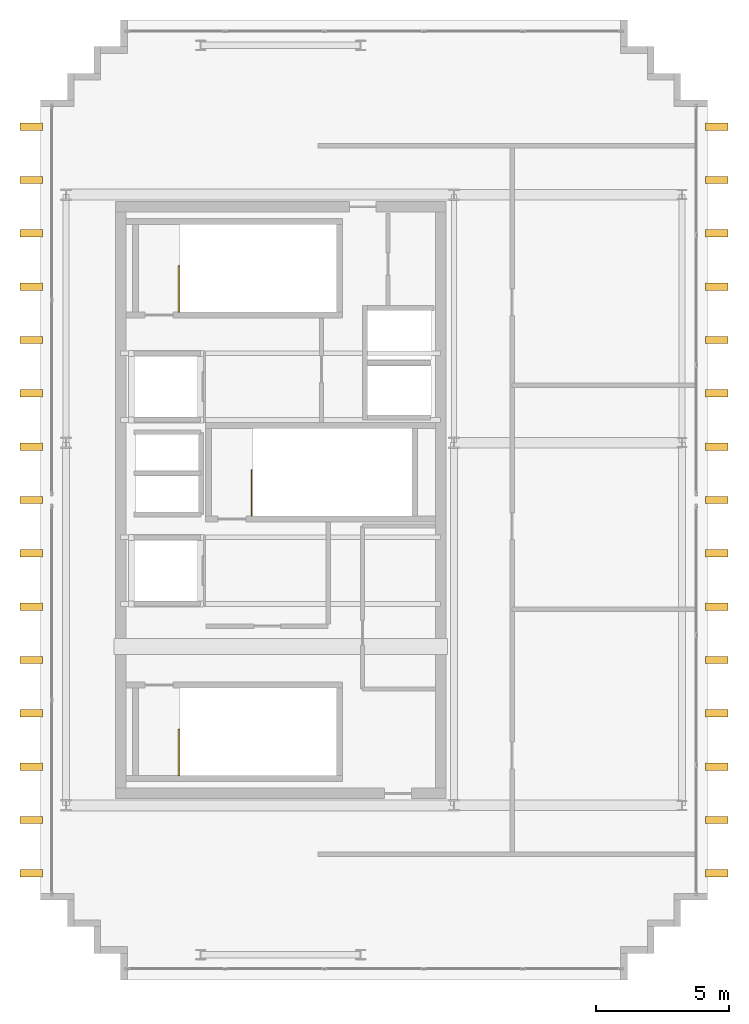
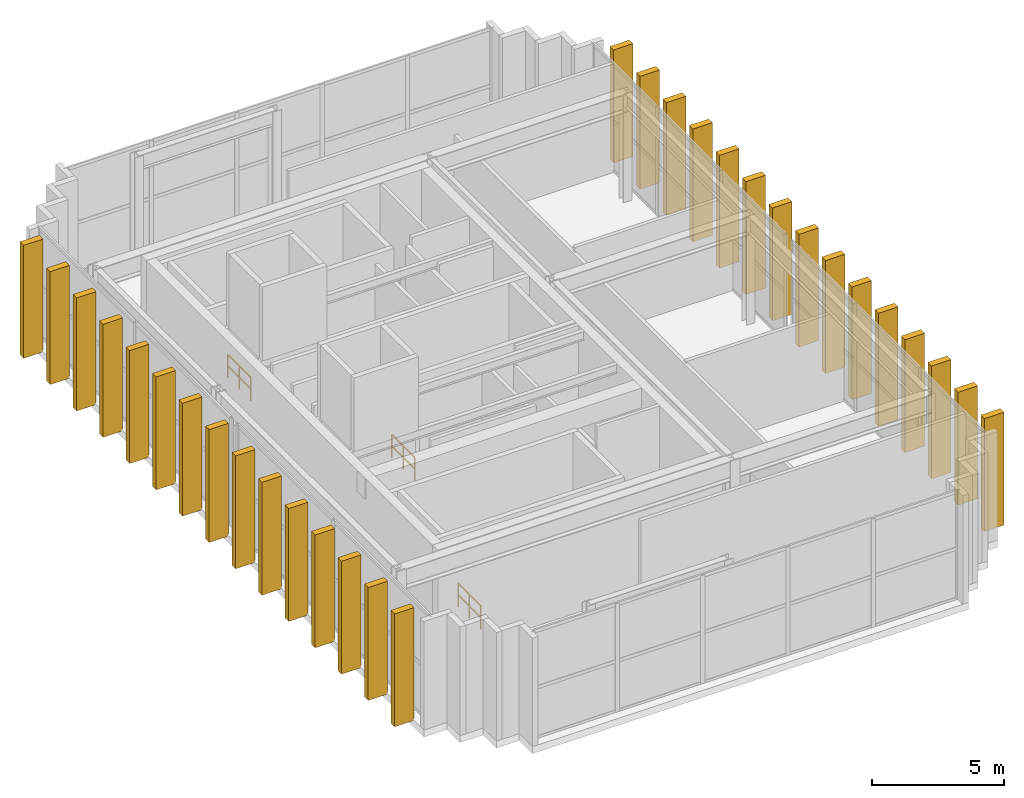
# One storey, part 14 of 14: 30 shading devices, 3 railings.
"""IFC4 building model written with IfcOpenShell, lengths in metres."""

from ifc_helpers import new_model, si_unit, direction, frame, origin, origin_2d, place, context, subcontext, project, spatial, rectangle, extrude, source, transform, mapped, material, type_object, element, save


model = new_model("IFC4")

# Units and contexts
model_context = context("Model", 3, precision=1e-05, world=origin(), true_north=direction((0.0, 1.0)))
body_context = subcontext(model_context, "Body", "Model", "MODEL_VIEW")
ifc_project = project(units=[si_unit("LENGTHUNIT", "METRE"), si_unit("AREAUNIT", "SQUARE_METRE"), si_unit("VOLUMEUNIT", "CUBIC_METRE"), si_unit("PLANEANGLEUNIT", "RADIAN"), si_unit("MASSUNIT", "GRAM", prefix="KILO")], contexts=[model_context])

# Site, building, storey
site_placement = place(None, origin())
site = spatial("IfcSite", under=ifc_project, at=site_placement, CompositionType="ELEMENT")
building_placement = place(site_placement, origin())
building = spatial("IfcBuilding", under=site, at=building_placement, Name="Ocotamira Hotel", CompositionType="ELEMENT")
storey_placement = place(building_placement, frame((0.0, 0.0, 309.60009765625)))
storey = spatial("IfcBuildingStorey", under=building, at=storey_placement, Name="L79", CompositionType="ELEMENT", Elevation=309.60009765625)

# Railings
ifc_material_1 = material(Name="Painted steel stair guardrail", Category="steel")
railing_type = type_object("IfcRailingType", Name="RL-STAIR-1100", PredefinedType="GUARDRAIL", material=ifc_material_1)
for number, where, name in (
    (1, (13.179931640625, 15.669921875, 0.0), "L79 ST-1 top well guard 1"),
    (2, (13.179931640625, 33.050048828125, 0.0), "L79 ST-2 top well guard 1"),
):
    element("IfcRailing", number, at=place(storey_placement, frame(where)), inside=storey, type_object=railing_type, Name=name, PredefinedType="GUARDRAIL", context=body_context, shape_type="SweptSolid", body=[
        extrude(rectangle(XDim=0.048095703125, YDim=0.048095703125, at=origin_2d()), frame((0.0, 0.0, 1.076171875), z_axis=(0.0, 1.0, 0.0), x_axis=(-1.0, 0.0, 0.0)), (0.0, 0.0, 1.0), 1.719970703125),
        extrude(rectangle(XDim=0.048095703125, YDim=0.048095703125, at=origin_2d()), frame((0.0, 0.0, 0.550048828125), z_axis=(0.0, 1.0, 0.0), x_axis=(-1.0, 0.0, 0.0)), (0.0, 0.0, 1.0), 1.719970703125),
        extrude(rectangle(XDim=0.0419921875, YDim=0.0419921875, at=origin_2d()), origin(), (0.0, 0.0, 1.0), 1.052001953125),
        extrude(rectangle(XDim=0.0419921875, YDim=0.0419921875, at=origin_2d()), frame((0.0, 0.85986328125, 0.0)), (0.0, 0.0, 1.0), 1.052001953125),
        extrude(rectangle(XDim=0.0419921875, YDim=0.0419921875, at=origin_2d()), frame((0.0, 1.719970703125, 0.0)), (0.0, 0.0, 1.0), 1.052001953125),
    ])
railing_placement = place(storey_placement, frame((15.909912109375, 25.39990234375, 0.0)))
element("IfcRailing", 3, at=railing_placement, inside=storey, type_object=railing_type, Name="L79 ST-3 top well guard 1", PredefinedType="GUARDRAIL", context=body_context, shape_type="SweptSolid", body=[
    extrude(rectangle(XDim=0.048095703125, YDim=0.048095703125, at=origin_2d()), frame((0.0, 0.0, 1.076171875), z_axis=(0.0, 1.0, 0.0), x_axis=(-1.0, 0.0, 0.0)), (0.0, 0.0, 1.0), 1.72021484375),
    extrude(rectangle(XDim=0.048095703125, YDim=0.048095703125, at=origin_2d()), frame((0.0, 0.0, 0.550048828125), z_axis=(0.0, 1.0, 0.0), x_axis=(-1.0, 0.0, 0.0)), (0.0, 0.0, 1.0), 1.72021484375),
    extrude(rectangle(XDim=0.0419921875, YDim=0.0419921875, at=origin_2d()), origin(), (0.0, 0.0, 1.0), 1.052001953125),
    extrude(rectangle(XDim=0.0419921875, YDim=0.0419921875, at=origin_2d()), frame((0.0, 0.860107421875, 0.0)), (0.0, 0.0, 1.0), 1.052001953125),
    extrude(rectangle(XDim=0.0419921875, YDim=0.0419921875, at=origin_2d()), frame((0.0, 1.72021484375, 0.0)), (0.0, 0.0, 1.0), 1.052001953125),
])

# Shading devices
ifc_material_2 = material(Name="Pale-metal anodised aluminium architectural fin", Category="aluminium")
shading_device_type = type_object("IfcShadingDeviceType", Name="SHD-PIER-850", PredefinedType="USERDEFINED", material=ifc_material_2)
shared_shape = source(origin(), body_context, "Body", "SweptSolid", [
    extrude(rectangle(XDim=0.85009765625, YDim=0.280029296875, at=origin_2d()), origin(), (0.0, 0.0, 1.0), 5.199951171875),
])
for number, where, z_axis, x_axis, name in (
    (4, (7.64990234375, 12.0, -0.10009765625), (0.0, 0.0, 1.0), (1.0, 0.0, 0.0), "L79 West Peak Vertical Pier X7 Y12"),
    (5, (33.35009765625, 12.0, -0.10009765625), (0.0, 0.0, 1.0), (1.0, 0.0, 0.0), "L79 West Peak Vertical Pier X33 Y12"),
    (6, (7.64990234375, 14.0, -0.10009765625), (0.0, 0.0, 1.0), (1.0, 0.0, 0.0), "L79 West Peak Vertical Pier X7 Y14"),
    (7, (33.35009765625, 14.0, -0.10009765625), (0.0, 0.0, 1.0), (1.0, 0.0, 0.0), "L79 West Peak Vertical Pier X33 Y14"),
    (8, (7.64990234375, 16.0, -0.10009765625), (0.0, 0.0, 1.0), (1.0, 0.0, 0.0), "L79 West Peak Vertical Pier X7 Y16"),
    (9, (33.35009765625, 16.0, -0.10009765625), (0.0, 0.0, 1.0), (1.0, 0.0, 0.0), "L79 West Peak Vertical Pier X33 Y16"),
    (10, (7.64990234375, 18.0, -0.10009765625), (0.0, 0.0, 1.0), (1.0, 0.0, 0.0), "L79 West Peak Vertical Pier X7 Y18"),
    (11, (33.35009765625, 18.0, -0.10009765625), (0.0, 0.0, 1.0), (1.0, 0.0, 0.0), "L79 West Peak Vertical Pier X33 Y18"),
    (12, (7.64990234375, 20.0, -0.10009765625), (0.0, 0.0, 1.0), (1.0, 0.0, 0.0), "L79 West Peak Vertical Pier X7 Y20"),
    (13, (33.35009765625, 20.0, -0.10009765625), (0.0, 0.0, 1.0), (1.0, 0.0, 0.0), "L79 West Peak Vertical Pier X33 Y20"),
    (14, (7.64990234375, 22.0, -0.10009765625), (0.0, 0.0, 1.0), (1.0, 0.0, 0.0), "L79 West Peak Vertical Pier X7 Y22"),
    (15, (33.35009765625, 22.0, -0.10009765625), (0.0, 0.0, 1.0), (1.0, 0.0, 0.0), "L79 West Peak Vertical Pier X33 Y22"),
    (16, (7.64990234375, 24.0, -0.10009765625), (0.0, 0.0, 1.0), (1.0, 0.0, 0.0), "L79 West Peak Vertical Pier X7 Y24"),
    (17, (33.35009765625, 24.0, -0.10009765625), (0.0, 0.0, 1.0), (1.0, 0.0, 0.0), "L79 West Peak Vertical Pier X33 Y24"),
    (18, (7.64990234375, 26.0, -0.10009765625), (0.0, 0.0, 1.0), (1.0, 0.0, 0.0), "L79 West Peak Vertical Pier X7 Y26"),
    (19, (33.35009765625, 26.0, -0.10009765625), (0.0, 0.0, 1.0), (1.0, 0.0, 0.0), "L79 West Peak Vertical Pier X33 Y26"),
    (20, (7.64990234375, 28.0, -0.10009765625), (0.0, 0.0, 1.0), (1.0, 0.0, 0.0), "L79 West Peak Vertical Pier X7 Y28"),
    (21, (33.35009765625, 28.0, -0.10009765625), (0.0, 0.0, 1.0), (1.0, 0.0, 0.0), "L79 West Peak Vertical Pier X33 Y28"),
    (22, (7.64990234375, 30.0, -0.10009765625), (0.0, 0.0, 1.0), (1.0, 0.0, 0.0), "L79 West Peak Vertical Pier X7 Y30"),
    (23, (33.35009765625, 30.0, -0.10009765625), (0.0, 0.0, 1.0), (1.0, 0.0, 0.0), "L79 West Peak Vertical Pier X33 Y30"),
    (24, (7.64990234375, 32.0, -0.10009765625), (0.0, 0.0, 1.0), (1.0, 0.0, 0.0), "L79 West Peak Vertical Pier X7 Y32"),
    (25, (33.35009765625, 32.0, -0.10009765625), (0.0, 0.0, 1.0), (1.0, 0.0, 0.0), "L79 West Peak Vertical Pier X33 Y32"),
    (26, (7.64990234375, 34.0, -0.10009765625), (0.0, 0.0, 1.0), (1.0, 0.0, 0.0), "L79 West Peak Vertical Pier X7 Y34"),
    (27, (33.35009765625, 34.0, -0.10009765625), (0.0, 0.0, 1.0), (1.0, 0.0, 0.0), "L79 West Peak Vertical Pier X33 Y34"),
    (28, (7.64990234375, 36.0, -0.10009765625), (0.0, 0.0, 1.0), (1.0, 0.0, 0.0), "L79 West Peak Vertical Pier X7 Y36"),
    (29, (33.35009765625, 36.0, -0.10009765625), (0.0, 0.0, 1.0), (1.0, 0.0, 0.0), "L79 West Peak Vertical Pier X33 Y36"),
    (30, (7.64990234375, 38.0, -0.10009765625), (0.0, 0.0, 1.0), (1.0, 0.0, 0.0), "L79 West Peak Vertical Pier X7 Y38"),
    (31, (33.35009765625, 38.0, -0.10009765625), (0.0, 0.0, 1.0), (1.0, 0.0, 0.0), "L79 West Peak Vertical Pier X33 Y38"),
    (32, (7.64990234375, 40.0, -0.10009765625), (0.0, 0.0, 1.0), (1.0, 0.0, 0.0), "L79 West Peak Vertical Pier X7 Y40"),
    (33, (33.35009765625, 40.0, -0.10009765625), (0.0, 0.0, 1.0), (1.0, 0.0, 0.0), "L79 West Peak Vertical Pier X33 Y40"),
):
    element("IfcShadingDevice", number, at=place(storey_placement, frame(where, z_axis=z_axis, x_axis=x_axis)), inside=storey, type_object=shading_device_type, Name=name, ObjectType="FIN", PredefinedType="USERDEFINED", context=body_context, shape_type="MappedRepresentation", body=[
        mapped(shared_shape, transform((0.0, 0.0, 0.0), scale=1.0)),
    ])

save(model, "model.ifc")
